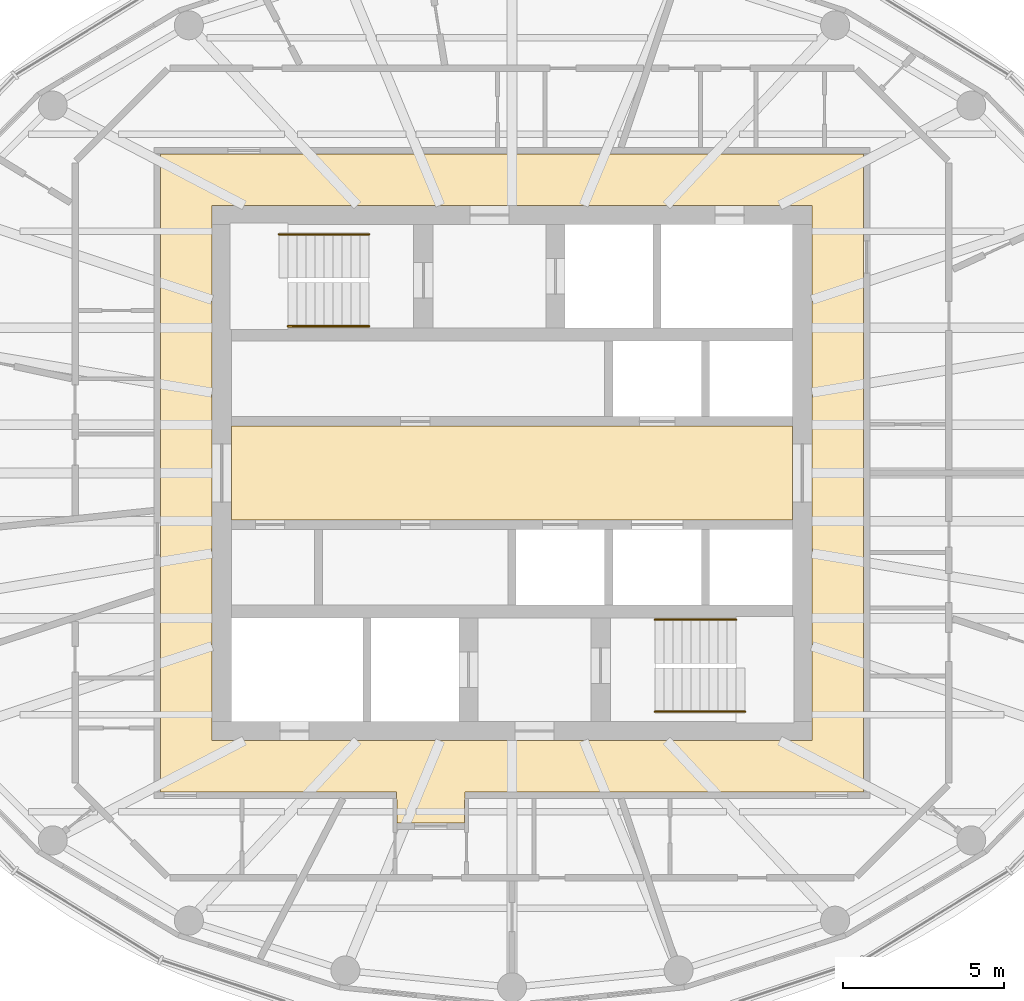
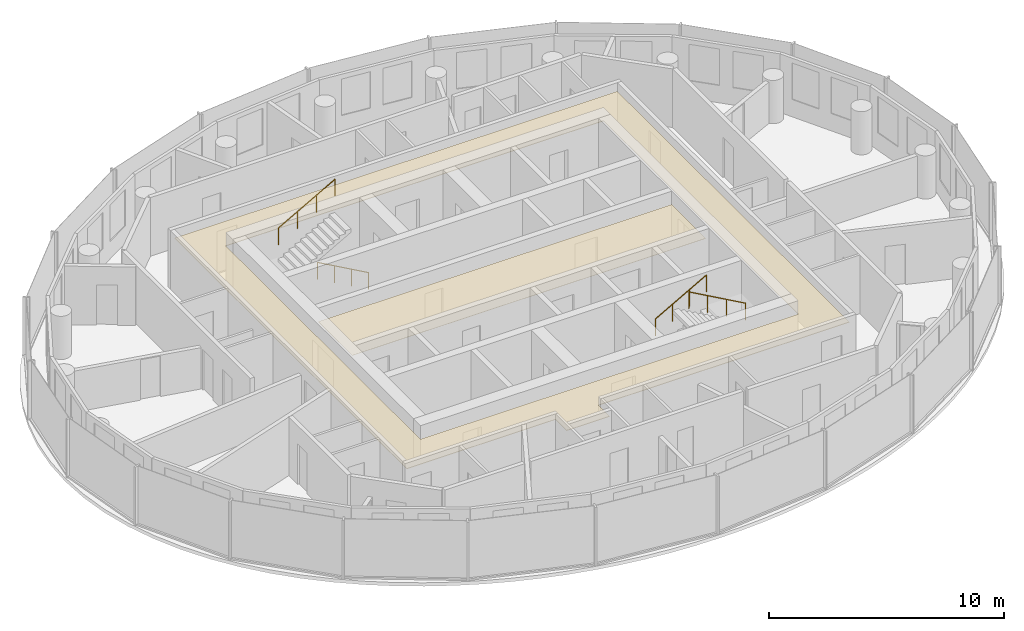
# One storey, part 11 of 11: 4 railings, 2 coverings.
"""IFC4 building model written with IfcOpenShell, lengths in metres."""

import ifcopenshell
import ifcopenshell.guid

model = None  # the IFC model being written
_history = None  # IfcOwnerHistory: only IFC2X3 demands one
_inside = {}  # id of a spatial element -> (the spatial element, [elements in it])
_under = {}  # id of a project, library or spatial element -> (it, [spatial elements below it])
_declared = {}  # id of a project -> (the project, [libraries it declares])
_typed = {}  # id of a type object -> (the type object, [elements of that type])
_made_of = {}  # id of a material, layer set ... -> (it, [elements and type objects made of it])


def new_model(schema):
    """Start an empty IFC model of exactly this schema.

    Asked for "IFC4X3", IfcOpenShell would pick the latest addendum, in which some entities
    have other attributes; the version numbers below select the first issue.
    IFC2X3 requires an IfcOwnerHistory on every rooted entity: one is made here for all.
    """
    global model, _history
    if schema == "IFC4X3":
        model = ifcopenshell.file(schema_version=(4, 3, 0, 0))
    else:
        model = ifcopenshell.file(schema=schema)
    _inside.clear()
    _under.clear()
    _declared.clear()
    _typed.clear()
    _made_of.clear()
    _history = None
    if model.schema == "IFC2X3":
        org = make("IfcOrganization", Name="unknown")
        user = make(
            "IfcPersonAndOrganization",
            ThePerson=make("IfcPerson", FamilyName="unknown"),
            TheOrganization=org,
        )
        app = make(
            "IfcApplication",
            ApplicationDeveloper=org,
            Version="unknown",
            ApplicationFullName="unknown",
            ApplicationIdentifier="unknown",
        )
        _history = make(
            "IfcOwnerHistory",
            OwningUser=user,
            OwningApplication=app,
            ChangeAction="ADDED",
            CreationDate=0,
        )
    return model


def make(cls, **values):
    """One entity of the class cls with the attributes given. An attribute that is None is left unset."""
    return model.create_entity(
        cls, **{name: value for name, value in values.items() if value is not None}
    )


def rooted(cls, **values):
    """An entity with a GlobalId (a new one), such as an element, a storey or a relation."""
    return make(cls, GlobalId=ifcopenshell.guid.new(), OwnerHistory=_history, **values)


def si_unit(unit_type, name, prefix=None):
    """IfcSIUnit, for example si_unit("LENGTHUNIT", "METRE", prefix="MILLI")."""
    return make("IfcSIUnit", UnitType=unit_type, Prefix=prefix, Name=name)


def assignment(units):
    """IfcUnitAssignment: the units of a project."""
    return None if units is None else make("IfcUnitAssignment", Units=units)


def point(xyz):
    """IfcCartesianPoint."""
    return None if xyz is None else make("IfcCartesianPoint", Coordinates=xyz)


def direction(xyz):
    """IfcDirection."""
    return None if xyz is None else make("IfcDirection", DirectionRatios=xyz)


def frame(location, z_axis=None, x_axis=None):
    """IfcAxis2Placement3D, a coordinate frame: its origin and axes. An axis left out is left unset."""
    return make(
        "IfcAxis2Placement3D",
        Location=point(location),
        Axis=direction(z_axis),
        RefDirection=direction(x_axis),
    )


def frame_2d(location, x_axis=None):
    """IfcAxis2Placement2D, a coordinate frame in the plane: its origin and x axis."""
    return make(
        "IfcAxis2Placement2D", Location=point(location), RefDirection=direction(x_axis)
    )


def origin():
    """The frame at (0, 0, 0) with its axes left unset."""
    return frame((0.0, 0.0, 0.0))


def origin_2d():
    """The frame at (0, 0) in the plane with its x axis left unset."""
    return frame_2d((0.0, 0.0))


def place(relative_to, where):
    """IfcLocalPlacement: puts the frame where relative to a parent placement (None: the world)."""
    return make(
        "IfcLocalPlacement", PlacementRelTo=relative_to, RelativePlacement=where
    )


def context(
    kind, dimensions, precision=None, world=None, true_north=None, identifier=None
):
    """IfcGeometricRepresentationContext, for example the 3D "Model" context."""
    return make(
        "IfcGeometricRepresentationContext",
        ContextIdentifier=identifier,
        ContextType=kind,
        CoordinateSpaceDimension=dimensions,
        Precision=precision,
        WorldCoordinateSystem=world,
        TrueNorth=true_north,
    )


def subcontext(parent, identifier, kind, view, scale=None):
    """IfcGeometricRepresentationSubContext, for example "Body" below "Model"."""
    return make(
        "IfcGeometricRepresentationSubContext",
        ContextIdentifier=identifier,
        ContextType=kind,
        ParentContext=parent,
        TargetScale=scale,
        TargetView=view,
    )


def project(units=None, contexts=None):
    """IfcProject with its units and contexts."""
    return rooted(
        "IfcProject",
        Name="project",
        RepresentationContexts=contexts,
        UnitsInContext=assignment(units),
    )


def spatial(cls, under=None, at=None, **own):
    """A site, building, storey or space (cls), placed at a placement, below another one or the project."""
    s = rooted(cls, ObjectPlacement=at, **own)
    if under is not None:
        _under.setdefault(under.id(), (under, []))[1].append(s)
    return s


def polyline(points):
    """IfcPolyline through the points."""
    return make("IfcPolyline", Points=[point(p) for p in points])


def profile(cls, at=None, kind="AREA", **sizes):
    """A parametric profile (cls). Its sizes go by their IFC names, for example OverallWidth=200.0."""
    return make(cls, ProfileType=kind, Position=at, **sizes)


def circle(**sizes):
    """IfcCircleProfileDef."""
    return profile("IfcCircleProfileDef", **sizes)


def outline(outer, holes=None, kind="AREA"):
    """IfcArbitraryClosedProfileDef: a profile drawn as a closed curve; with holes, ...WithVoids."""
    if holes is None:
        return make("IfcArbitraryClosedProfileDef", ProfileType=kind, OuterCurve=outer)
    return make(
        "IfcArbitraryProfileDefWithVoids",
        ProfileType=kind,
        OuterCurve=outer,
        InnerCurves=holes,
    )


def extrude(swept, where, along, depth):
    """IfcExtrudedAreaSolid: the profile swept, set in the frame where, extruded along a direction by depth."""
    return make(
        "IfcExtrudedAreaSolid",
        SweptArea=swept,
        Position=where,
        ExtrudedDirection=direction(along),
        Depth=depth,
    )


def shape(context_of_items, identifier, shape_type, items):
    """IfcShapeRepresentation: the items that make up one representation, for example the "Body"."""
    return make(
        "IfcShapeRepresentation",
        ContextOfItems=context_of_items,
        RepresentationIdentifier=identifier,
        RepresentationType=shape_type,
        Items=items,
    )


def material(Name=None, Category=None):
    """IfcMaterial."""
    return make("IfcMaterial", Name=Name, Category=Category)


def layer(
    of_material, thickness, ventilated=None, Name=None, Category=None, Priority=None
):
    """IfcMaterialLayer: one layer of a wall or slab, of a material (None: an air gap)."""
    return make(
        "IfcMaterialLayer",
        Material=of_material,
        LayerThickness=thickness,
        IsVentilated=ventilated,
        Name=Name,
        Category=Category,
        Priority=Priority,
    )


def layer_set(layers, Name=None):
    """IfcMaterialLayerSet."""
    return make("IfcMaterialLayerSet", MaterialLayers=layers, LayerSetName=Name)


def made_of(thing, what):
    """Note that an element or type object is made of a material, layer set ...; save() writes the relation."""
    if what is not None:
        _made_of.setdefault(what.id(), (what, []))[1].append(thing)
    return thing


def type_object(cls, material=None, **own):
    """A type object (cls), such as IfcWallType, which elements share."""
    return made_of(rooted(cls, **own), material)


def element(
    cls,
    number,
    at=None,
    inside=None,
    cuts=None,
    type_object=None,
    material=None,
    context=None,
    identifier="Body",
    shape_type=None,
    held_by="IfcProductDefinitionShape",
    body=None,
    shapes=None,
    **own,
):
    """One element of the class cls, such as IfcWall. Its Tag is "e" and its number.

    at: its placement. inside: the storey or other place that contains it. cuts: it is an
    opening in that element (IfcRelVoidsElement). A single representation is given by context,
    identifier, shape_type and body (its items); several are given by shapes. held_by: the class
    of the entity that holds the representations. save() writes the other relations.
    """
    e = rooted(cls, Tag="e%d" % number, ObjectPlacement=at, **own)
    if body is not None:
        shapes = [shape(context, identifier, shape_type, body)]
    if shapes is not None:
        e.Representation = make(held_by, Representations=shapes)
    if inside is not None:
        _inside.setdefault(inside.id(), (inside, []))[1].append(e)
    if cuts is not None:
        rooted(
            "IfcRelVoidsElement", RelatingBuildingElement=cuts, RelatedOpeningElement=e
        )
    if type_object is not None:
        _typed.setdefault(type_object.id(), (type_object, []))[1].append(e)
    return made_of(e, material)


def aggregate(whole, parts):
    """IfcRelAggregates: a whole, such as a stair, and the parts it consists of."""
    return rooted("IfcRelAggregates", RelatingObject=whole, RelatedObjects=parts)


def save(model, path):
    """Write the relations noted so far, then the file.

    IfcRelAggregates (storeys below a building ...), IfcRelContainedInSpatialStructure (elements
    in a storey), IfcRelDefinesByType, IfcRelAssociatesMaterial and IfcRelDeclares: one each for
    every whole, place, type object, material and project.
    """
    for whole, parts in _under.values():
        aggregate(whole, parts)
    for where, things in _inside.values():
        rooted(
            "IfcRelContainedInSpatialStructure",
            RelatedElements=things,
            RelatingStructure=where,
        )
    for kind, things in _typed.values():
        rooted("IfcRelDefinesByType", RelatedObjects=things, RelatingType=kind)
    for what, things in _made_of.values():
        rooted("IfcRelAssociatesMaterial", RelatedObjects=things, RelatingMaterial=what)
    for by, libraries in _declared.values():
        rooted("IfcRelDeclares", RelatingContext=by, RelatedDefinitions=libraries)
    model.write(path)


model = new_model("IFC4")

# Units and contexts
model_context = context("Model", 3, precision=1e-05, world=origin(), true_north=direction((0.0, 1.0)))
body_context = subcontext(model_context, "Body", "Model", "MODEL_VIEW")
ifc_project = project(units=[si_unit("LENGTHUNIT", "METRE"), si_unit("AREAUNIT", "SQUARE_METRE"), si_unit("VOLUMEUNIT", "CUBIC_METRE"), si_unit("PLANEANGLEUNIT", "RADIAN"), si_unit("MASSUNIT", "GRAM", prefix="KILO")], contexts=[model_context])

# Site, building, storey
site_placement = place(None, origin())
site = spatial("IfcSite", under=ifc_project, at=site_placement, CompositionType="ELEMENT")
building_placement = place(site_placement, origin())
building = spatial("IfcBuilding", under=site, at=building_placement, Name="Hankou Lantern Tower", CompositionType="ELEMENT")
storey_placement = place(building_placement, frame((0.0, 0.0, 229.199951171875)))
storey = spatial("IfcBuildingStorey", under=building, at=storey_placement, Name="L62", CompositionType="ELEMENT", Elevation=229.199951171875)

# Coverings
ifc_material_1 = material(Name="Black painted aluminium linear ceiling panels", Category="aluminium")
ifc_layer_1 = layer(ifc_material_1, 0.02490234375)
ifc_layer_set_1 = layer_set([ifc_layer_1], Name="Black painted aluminium linear ceiling panels")
covering_type_1 = type_object("IfcCoveringType", Name="CL1 CORRIDOR CEILING 25", PredefinedType="CEILING", material=ifc_layer_set_1)
covering_1_placement = place(storey_placement, frame((0.0, 0.0, 2.574951171875)))
element("IfcCovering", 1, at=covering_1_placement, inside=storey, type_object=covering_type_1, Name="Corridor ceiling L62", PredefinedType="CEILING", context=body_context, shape_type="SweptSolid", body=[
    extrude(outline(polyline([(-3.56884765625, -10.85009765625), (-1.468994140625, -10.85009765625), (-1.468994140625, -10.1201171875), (-1.458984375, -10.1201171875), (-1.458984375, -9.89794921875), (10.89794921875, -9.89794921875), (10.89794921875, 9.89794921875), (-10.89794921875, 9.89794921875), (-10.89794921875, -9.89794921875), (-3.578857421875, -9.89794921875), (-3.578857421875, -10.1201171875), (-3.56884765625, -10.1201171875), (-3.56884765625, -10.85009765625)]), holes=[polyline([(-9.300048828125, 8.300048828125), (9.300048828125, 8.300048828125), (9.300048828125, -8.300048828125), (-9.300048828125, -8.300048828125), (-9.300048828125, 8.300048828125)])]), origin(), (0.0, 0.0, 1.0), 0.025146484375),
])
ifc_material_2 = material(Name="Perforated black aluminium acoustic tray ceiling", Category="aluminium")
ifc_layer_2 = layer(ifc_material_2, 0.014892578125)
ifc_layer_set_2 = layer_set([ifc_layer_2], Name="Perforated black aluminium acoustic tray ceiling")
covering_type_2 = type_object("IfcCoveringType", Name="CL2 LIFT LOBBY CEILING 15", PredefinedType="CEILING", material=ifc_layer_set_2)
covering_2_placement = place(storey_placement, frame((0.0, 0.0, 2.5849609375)))
element("IfcCovering", 2, at=covering_2_placement, inside=storey, type_object=covering_type_2, Name="Lift lobby ceiling L62", PredefinedType="CEILING", context=body_context, shape_type="SweptSolid", body=[
    extrude(outline(polyline([(-8.699951171875, -1.449951171875), (8.699951171875, -1.449951171875), (8.699951171875, 1.449951171875), (-8.699951171875, 1.449951171875), (-8.699951171875, -1.449951171875)])), origin(), (0.0, 0.0, 1.0), 0.01513671875),
])

# Railings
ifc_material_3 = material(Name="Steel handrail", Category="steel")
railing_type = type_object("IfcRailingType", Name="HR1 STAIR HANDRAIL", PredefinedType="HANDRAIL", material=ifc_material_3)
railing_1_placement = place(storey_placement, frame((-4.429931640625, 4.550048828125, 0.900146484375)))
element("IfcRailing", 3, at=railing_1_placement, inside=storey, type_object=railing_type, Name="Handrail stair STA L62 flight 1", PredefinedType="HANDRAIL", context=body_context, shape_type="SweptSolid", body=[
    extrude(circle(Radius=0.02392578125, at=origin_2d()), frame((0.0, 0.0, 0.8759765625), z_axis=(-0.872048945198, 0.0, 0.489418672692), x_axis=(0.0, -1.0, 0.0)), (0.0, 0.0, 1.0), 2.8896484375),
    extrude(circle(Radius=0.02099609375, at=origin_2d()), origin(), (0.0, 0.0, 1.0), 0.851806640625),
    extrude(circle(Radius=0.02099609375, at=origin_2d()), frame((-0.840087890625, 0.0, 0.471435546875)), (0.0, 0.0, 1.0), 0.851806640625),
    extrude(circle(Radius=0.02099609375, at=origin_2d()), frame((-1.679931640625, 0.0, 0.94287109375)), (0.0, 0.0, 1.0), 0.851806640625),
    extrude(circle(Radius=0.02099609375, at=origin_2d()), frame((-2.52001953125, 0.0, 1.414306640625)), (0.0, 0.0, 1.0), 0.851806640625),
])
railing_2_placement = place(storey_placement, frame((-7.22998046875, 7.39990234375, 2.471435546875)))
element("IfcRailing", 4, at=railing_2_placement, inside=storey, type_object=railing_type, Name="Handrail stair STA L62 flight 2", PredefinedType="HANDRAIL", context=body_context, shape_type="SweptSolid", body=[
    extrude(circle(Radius=0.02392578125, at=origin_2d()), frame((0.0, 0.0, 0.8759765625), z_axis=(0.872040151574, 0.0, 0.489434340891), x_axis=(0.0, 1.0, 0.0)), (0.0, 0.0, 1.0), 3.2109375),
    extrude(circle(Radius=0.02099609375, at=origin_2d()), origin(), (0.0, 0.0, 1.0), 0.851806640625),
    extrude(circle(Radius=0.02099609375, at=origin_2d()), frame((0.933349609375, 0.0, 0.52392578125)), (0.0, 0.0, 1.0), 0.851806640625),
    extrude(circle(Radius=0.02099609375, at=origin_2d()), frame((1.86669921875, 0.0, 1.047607421875)), (0.0, 0.0, 1.0), 0.851806640625),
    extrude(circle(Radius=0.02099609375, at=origin_2d()), frame((2.800048828125, 0.0, 1.571533203125)), (0.0, 0.0, 1.0), 0.851806640625),
])
railing_3_placement = place(storey_placement, frame((4.429931640625, -4.550048828125, 0.900146484375)))
element("IfcRailing", 5, at=railing_3_placement, inside=storey, type_object=railing_type, Name="Handrail stair STB L62 flight 1", PredefinedType="HANDRAIL", context=body_context, shape_type="SweptSolid", body=[
    extrude(circle(Radius=0.02392578125, at=origin_2d()), frame((0.0, 0.0, 0.8759765625), z_axis=(0.872048945198, 0.0, 0.489418672692), x_axis=(0.0, 1.0, 0.0)), (0.0, 0.0, 1.0), 2.8896484375),
    extrude(circle(Radius=0.02099609375, at=origin_2d()), origin(), (0.0, 0.0, 1.0), 0.851806640625),
    extrude(circle(Radius=0.02099609375, at=origin_2d()), frame((0.840087890625, 0.0, 0.471435546875)), (0.0, 0.0, 1.0), 0.851806640625),
    extrude(circle(Radius=0.02099609375, at=origin_2d()), frame((1.679931640625, 0.0, 0.94287109375)), (0.0, 0.0, 1.0), 0.851806640625),
    extrude(circle(Radius=0.02099609375, at=origin_2d()), frame((2.52001953125, 0.0, 1.414306640625)), (0.0, 0.0, 1.0), 0.851806640625),
])
railing_4_placement = place(storey_placement, frame((7.22998046875, -7.39990234375, 2.471435546875)))
element("IfcRailing", 6, at=railing_4_placement, inside=storey, type_object=railing_type, Name="Handrail stair STB L62 flight 2", PredefinedType="HANDRAIL", context=body_context, shape_type="SweptSolid", body=[
    extrude(circle(Radius=0.02392578125, at=origin_2d()), frame((0.0, 0.0, 0.8759765625), z_axis=(-0.872040151574, 0.0, 0.489434340891), x_axis=(0.0, -1.0, 0.0)), (0.0, 0.0, 1.0), 3.2109375),
    extrude(circle(Radius=0.02099609375, at=origin_2d()), origin(), (0.0, 0.0, 1.0), 0.851806640625),
    extrude(circle(Radius=0.02099609375, at=origin_2d()), frame((-0.933349609375, 0.0, 0.52392578125)), (0.0, 0.0, 1.0), 0.851806640625),
    extrude(circle(Radius=0.02099609375, at=origin_2d()), frame((-1.86669921875, 0.0, 1.047607421875)), (0.0, 0.0, 1.0), 0.851806640625),
    extrude(circle(Radius=0.02099609375, at=origin_2d()), frame((-2.800048828125, 0.0, 1.571533203125)), (0.0, 0.0, 1.0), 0.851806640625),
])

save(model, "model.ifc")
